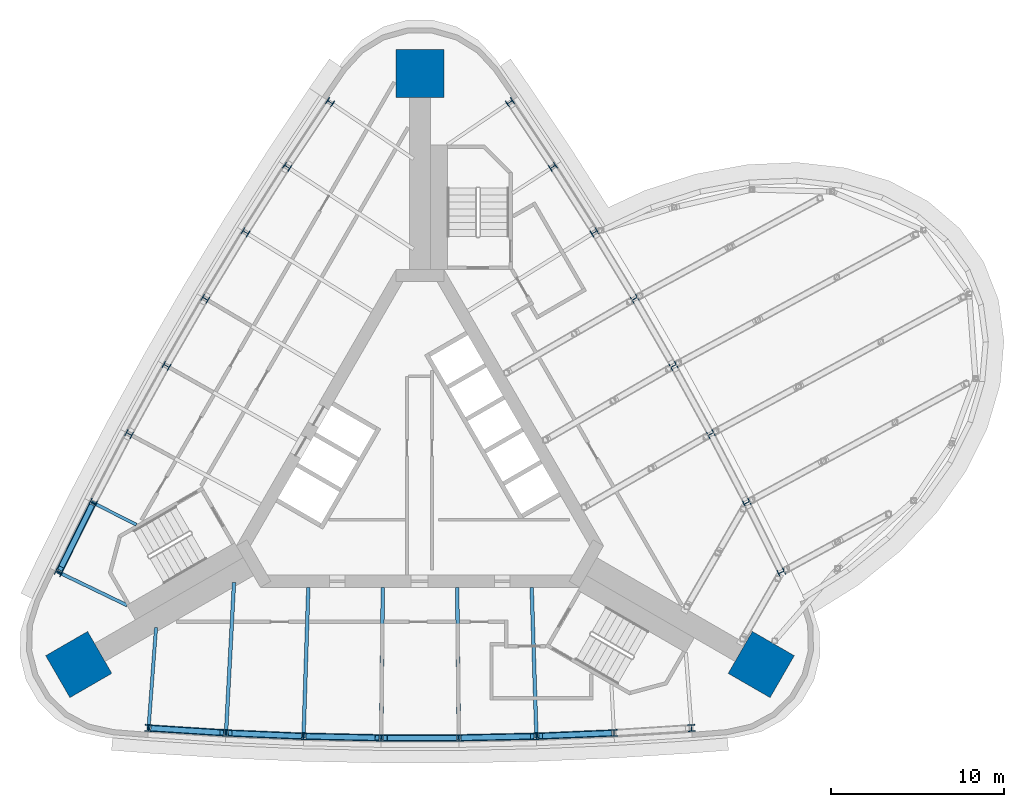
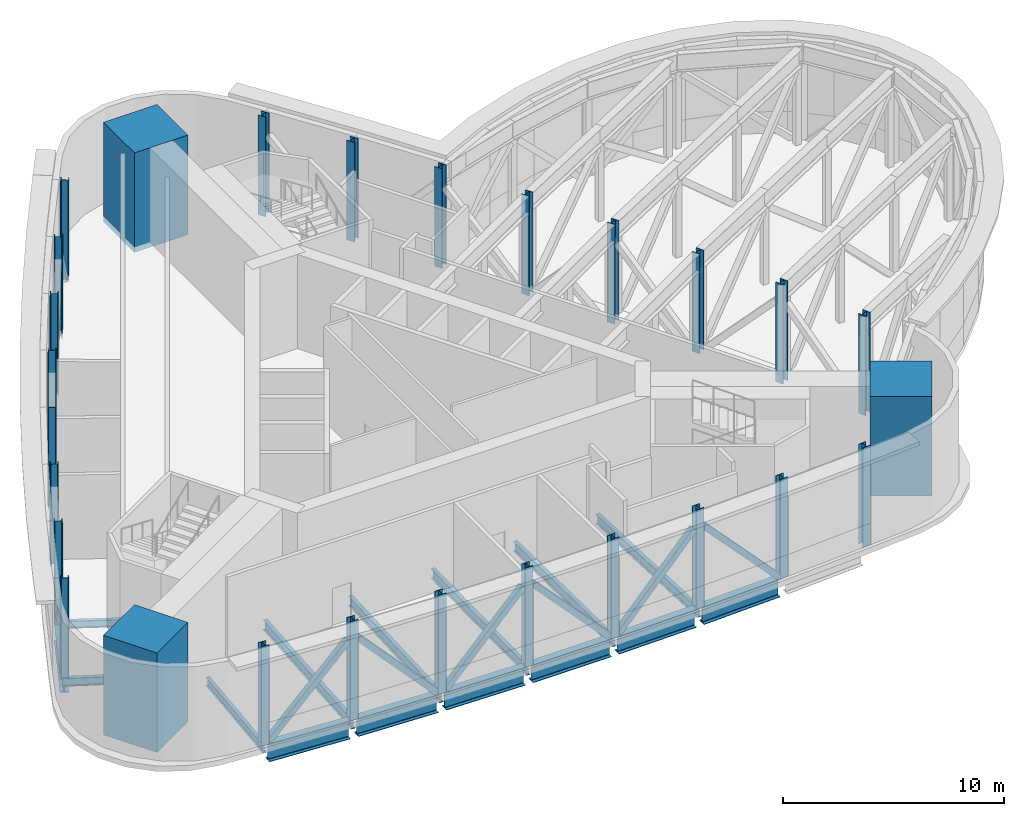
# One storey, part 1 of 11: 27 columns, 15 beams, 7 members.
"""IFC4 building model written with IfcOpenShell, lengths in metres."""

import ifcopenshell
import ifcopenshell.guid

model = None  # the IFC model being written
_history = None  # IfcOwnerHistory: only IFC2X3 demands one
_inside = {}  # id of a spatial element -> (the spatial element, [elements in it])
_under = {}  # id of a project, library or spatial element -> (it, [spatial elements below it])
_declared = {}  # id of a project -> (the project, [libraries it declares])
_typed = {}  # id of a type object -> (the type object, [elements of that type])
_made_of = {}  # id of a material, layer set ... -> (it, [elements and type objects made of it])


def new_model(schema):
    """Start an empty IFC model of exactly this schema.

    Asked for "IFC4X3", IfcOpenShell would pick the latest addendum, in which some entities
    have other attributes; the version numbers below select the first issue.
    IFC2X3 requires an IfcOwnerHistory on every rooted entity: one is made here for all.
    """
    global model, _history
    if schema == "IFC4X3":
        model = ifcopenshell.file(schema_version=(4, 3, 0, 0))
    else:
        model = ifcopenshell.file(schema=schema)
    _inside.clear()
    _under.clear()
    _declared.clear()
    _typed.clear()
    _made_of.clear()
    _history = None
    if model.schema == "IFC2X3":
        org = make("IfcOrganization", Name="unknown")
        user = make(
            "IfcPersonAndOrganization",
            ThePerson=make("IfcPerson", FamilyName="unknown"),
            TheOrganization=org,
        )
        app = make(
            "IfcApplication",
            ApplicationDeveloper=org,
            Version="unknown",
            ApplicationFullName="unknown",
            ApplicationIdentifier="unknown",
        )
        _history = make(
            "IfcOwnerHistory",
            OwningUser=user,
            OwningApplication=app,
            ChangeAction="ADDED",
            CreationDate=0,
        )
    return model


def make(cls, **values):
    """One entity of the class cls with the attributes given. An attribute that is None is left unset."""
    return model.create_entity(
        cls, **{name: value for name, value in values.items() if value is not None}
    )


def rooted(cls, **values):
    """An entity with a GlobalId (a new one), such as an element, a storey or a relation."""
    return make(cls, GlobalId=ifcopenshell.guid.new(), OwnerHistory=_history, **values)


def si_unit(unit_type, name, prefix=None):
    """IfcSIUnit, for example si_unit("LENGTHUNIT", "METRE", prefix="MILLI")."""
    return make("IfcSIUnit", UnitType=unit_type, Prefix=prefix, Name=name)


def assignment(units):
    """IfcUnitAssignment: the units of a project."""
    return None if units is None else make("IfcUnitAssignment", Units=units)


def point(xyz):
    """IfcCartesianPoint."""
    return None if xyz is None else make("IfcCartesianPoint", Coordinates=xyz)


def direction(xyz):
    """IfcDirection."""
    return None if xyz is None else make("IfcDirection", DirectionRatios=xyz)


def frame(location, z_axis=None, x_axis=None):
    """IfcAxis2Placement3D, a coordinate frame: its origin and axes. An axis left out is left unset."""
    return make(
        "IfcAxis2Placement3D",
        Location=point(location),
        Axis=direction(z_axis),
        RefDirection=direction(x_axis),
    )


def frame_2d(location, x_axis=None):
    """IfcAxis2Placement2D, a coordinate frame in the plane: its origin and x axis."""
    return make(
        "IfcAxis2Placement2D", Location=point(location), RefDirection=direction(x_axis)
    )


def origin():
    """The frame at (0, 0, 0) with its axes left unset."""
    return frame((0.0, 0.0, 0.0))


def origin_2d():
    """The frame at (0, 0) in the plane with its x axis left unset."""
    return frame_2d((0.0, 0.0))


def place(relative_to, where):
    """IfcLocalPlacement: puts the frame where relative to a parent placement (None: the world)."""
    return make(
        "IfcLocalPlacement", PlacementRelTo=relative_to, RelativePlacement=where
    )


def context(
    kind, dimensions, precision=None, world=None, true_north=None, identifier=None
):
    """IfcGeometricRepresentationContext, for example the 3D "Model" context."""
    return make(
        "IfcGeometricRepresentationContext",
        ContextIdentifier=identifier,
        ContextType=kind,
        CoordinateSpaceDimension=dimensions,
        Precision=precision,
        WorldCoordinateSystem=world,
        TrueNorth=true_north,
    )


def subcontext(parent, identifier, kind, view, scale=None):
    """IfcGeometricRepresentationSubContext, for example "Body" below "Model"."""
    return make(
        "IfcGeometricRepresentationSubContext",
        ContextIdentifier=identifier,
        ContextType=kind,
        ParentContext=parent,
        TargetScale=scale,
        TargetView=view,
    )


def project(units=None, contexts=None):
    """IfcProject with its units and contexts."""
    return rooted(
        "IfcProject",
        Name="project",
        RepresentationContexts=contexts,
        UnitsInContext=assignment(units),
    )


def spatial(cls, under=None, at=None, **own):
    """A site, building, storey or space (cls), placed at a placement, below another one or the project."""
    s = rooted(cls, ObjectPlacement=at, **own)
    if under is not None:
        _under.setdefault(under.id(), (under, []))[1].append(s)
    return s


def profile(cls, at=None, kind="AREA", **sizes):
    """A parametric profile (cls). Its sizes go by their IFC names, for example OverallWidth=200.0."""
    return make(cls, ProfileType=kind, Position=at, **sizes)


def rectangle(**sizes):
    """IfcRectangleProfileDef."""
    return profile("IfcRectangleProfileDef", **sizes)


def hollow_rectangle(**sizes):
    """IfcRectangleHollowProfileDef."""
    return profile("IfcRectangleHollowProfileDef", **sizes)


def i_section(**sizes):
    """IfcIShapeProfileDef."""
    return profile("IfcIShapeProfileDef", **sizes)


def extrude(swept, where, along, depth):
    """IfcExtrudedAreaSolid: the profile swept, set in the frame where, extruded along a direction by depth."""
    return make(
        "IfcExtrudedAreaSolid",
        SweptArea=swept,
        Position=where,
        ExtrudedDirection=direction(along),
        Depth=depth,
    )


def shape(context_of_items, identifier, shape_type, items):
    """IfcShapeRepresentation: the items that make up one representation, for example the "Body"."""
    return make(
        "IfcShapeRepresentation",
        ContextOfItems=context_of_items,
        RepresentationIdentifier=identifier,
        RepresentationType=shape_type,
        Items=items,
    )


def material(Name=None, Category=None):
    """IfcMaterial."""
    return make("IfcMaterial", Name=Name, Category=Category)


def material_profile(
    of_material, cross_section, Name=None, Category=None, Priority=None
):
    """IfcMaterialProfile: a cross section and its material."""
    return make(
        "IfcMaterialProfile",
        Name=Name,
        Material=of_material,
        Profile=cross_section,
        Priority=Priority,
        Category=Category,
    )


def profile_set(profiles, Name=None, composite=None):
    """IfcMaterialProfileSet."""
    return make(
        "IfcMaterialProfileSet",
        Name=Name,
        MaterialProfiles=profiles,
        CompositeProfile=composite,
    )


def made_of(thing, what):
    """Note that an element or type object is made of a material, layer set ...; save() writes the relation."""
    if what is not None:
        _made_of.setdefault(what.id(), (what, []))[1].append(thing)
    return thing


def type_object(cls, material=None, **own):
    """A type object (cls), such as IfcWallType, which elements share."""
    return made_of(rooted(cls, **own), material)


def element(
    cls,
    number,
    at=None,
    inside=None,
    cuts=None,
    type_object=None,
    material=None,
    context=None,
    identifier="Body",
    shape_type=None,
    held_by="IfcProductDefinitionShape",
    body=None,
    shapes=None,
    **own,
):
    """One element of the class cls, such as IfcWall. Its Tag is "e" and its number.

    at: its placement. inside: the storey or other place that contains it. cuts: it is an
    opening in that element (IfcRelVoidsElement). A single representation is given by context,
    identifier, shape_type and body (its items); several are given by shapes. held_by: the class
    of the entity that holds the representations. save() writes the other relations.
    """
    e = rooted(cls, Tag="e%d" % number, ObjectPlacement=at, **own)
    if body is not None:
        shapes = [shape(context, identifier, shape_type, body)]
    if shapes is not None:
        e.Representation = make(held_by, Representations=shapes)
    if inside is not None:
        _inside.setdefault(inside.id(), (inside, []))[1].append(e)
    if cuts is not None:
        rooted(
            "IfcRelVoidsElement", RelatingBuildingElement=cuts, RelatedOpeningElement=e
        )
    if type_object is not None:
        _typed.setdefault(type_object.id(), (type_object, []))[1].append(e)
    return made_of(e, material)


def aggregate(whole, parts):
    """IfcRelAggregates: a whole, such as a stair, and the parts it consists of."""
    return rooted("IfcRelAggregates", RelatingObject=whole, RelatedObjects=parts)


def save(model, path):
    """Write the relations noted so far, then the file.

    IfcRelAggregates (storeys below a building ...), IfcRelContainedInSpatialStructure (elements
    in a storey), IfcRelDefinesByType, IfcRelAssociatesMaterial and IfcRelDeclares: one each for
    every whole, place, type object, material and project.
    """
    for whole, parts in _under.values():
        aggregate(whole, parts)
    for where, things in _inside.values():
        rooted(
            "IfcRelContainedInSpatialStructure",
            RelatedElements=things,
            RelatingStructure=where,
        )
    for kind, things in _typed.values():
        rooted("IfcRelDefinesByType", RelatedObjects=things, RelatingType=kind)
    for what, things in _made_of.values():
        rooted("IfcRelAssociatesMaterial", RelatedObjects=things, RelatingMaterial=what)
    for by, libraries in _declared.values():
        rooted("IfcRelDeclares", RelatingContext=by, RelatedDefinitions=libraries)
    model.write(path)


model = new_model("IFC4")

# Units and contexts
model_context = context("Model", 3, precision=1e-05, world=origin(), true_north=direction((0.0, 1.0)))
body_context = subcontext(model_context, "Body", "Model", "MODEL_VIEW")
ifc_project = project(units=[si_unit("LENGTHUNIT", "METRE"), si_unit("AREAUNIT", "SQUARE_METRE"), si_unit("VOLUMEUNIT", "CUBIC_METRE"), si_unit("PLANEANGLEUNIT", "RADIAN"), si_unit("MASSUNIT", "GRAM", prefix="KILO")], contexts=[model_context])

# Site, building, storey
site_placement = place(None, origin())
site = spatial("IfcSite", under=ifc_project, at=site_placement, CompositionType="ELEMENT")
building_placement = place(site_placement, origin())
building = spatial("IfcBuilding", under=site, at=building_placement, Name="Noor Cloister Tower", CompositionType="ELEMENT")
storey_placement = place(building_placement, frame((0.0, 0.0, 168.89990234375)))
storey = spatial("IfcBuildingStorey", under=building, at=storey_placement, Name="L43", CompositionType="ELEMENT", Elevation=168.89990234375)

# Columns
ifc_material_1 = material(Name="Steel ASTM A992 Gr 50", Category="steel")
ifc_material_profile_1 = material_profile(ifc_material_1, i_section(OverallWidth=0.39892578125, OverallDepth=0.385986328125, WebThickness=0.02099609375, FlangeThickness=0.033203125, FilletRadius=0.01513671875, at=origin_2d()), Name="W360x262")
ifc_profile_set_1 = profile_set([ifc_material_profile_1], Name="Steel ASTM A992 Gr 50")
column_type_1 = type_object("IfcColumnType", Name="Column W360x262", PredefinedType="COLUMN", material=ifc_profile_set_1)
for number, where, z_axis, x_axis, name in (
    (1, (-5.19775390625, 21.123779296875, -0.2998046875), (0.0, 0.0, 1.0), (-0.562771100016, -0.826612780561, 0.0), "Column NW 01 L43"),
    (2, (-7.68408203125, 17.38720703125, -0.2998046875), (0.0, 0.0, 1.0), (-0.545137193542, -0.83834684959, 0.0), "Column NW 02 L43"),
    (3, (-10.0908203125, 13.5986328125, -0.2998046875), (0.0, 0.0, 1.0), (-0.527258715049, -0.849704800154, 0.0), "Column NW 03 L43"),
    (4, (-12.416748046875, 9.760009765625, -0.2998046875), (0.0, 0.0, 1.0), (-0.509143685622, -0.860681536569, 0.0), "Column NW 04 L43"),
    (5, (-14.660888671875, 5.873291015625, -0.2998046875), (0.0, 0.0, 1.0), (-0.490800232426, -0.87127213421, 0.0), "Column NW 05 L43"),
    (6, (-16.822265625, 1.939453125, -0.2998046875), (0.0, 0.0, 1.0), (-0.472236585126, -0.881471841676, 0.0), "Column NW 06 L43"),
    (7, (-18.899658203125, -2.0390625, -0.2998046875), (0.0, 0.0, 1.0), (-0.453461072156, -0.89127608295, 0.0), "Column NW 07 L43"),
    (8, (-20.892578125, -6.060546875, -0.2998046875), (0.0, 0.0, 1.0), (-0.434482117051, -0.90068045941, 0.0), "Column NW 08 L43"),
    (9, (-15.69482421875, -15.063232421875, -0.2998046875), (0.0, 0.0, 1.0), (0.997253217067, -0.074067678849, 0.0), "Column S 01 L43"),
    (10, (-11.215576171875, -15.34814453125, -0.2998046875), (0.0, 0.0, 1.0), (0.998598265698, -0.05292923336, 0.0), "Column S 02 L43"),
    (11, (-6.7314453125, -15.538330078125, -0.2998046875), (0.0, 0.0, 1.0), (0.999495300175, -0.031767041523, 0.0), "Column S 03 L43"),
    (12, (-2.244140625, -15.63330078125, -0.2998046875), (0.0, 0.0, 1.0), (0.999943918048, -0.01059059764, 0.0), "Column S 04 L43"),
    (13, (2.244140625, -15.63330078125, -0.2998046875), (0.0, 0.0, 1.0), (0.999943918048, 0.01059059764, 0.0), "Column S 05 L43"),
    (14, (6.7314453125, -15.538330078125, -0.2998046875), (0.0, 0.0, 1.0), (0.999495300175, 0.031767041523, 0.0), "Column S 06 L43"),
    (15, (11.215576171875, -15.34814453125, -0.2998046875), (0.0, 0.0, 1.0), (0.998598265698, 0.05292923336, 0.0), "Column S 07 L43"),
    (16, (15.69482421875, -15.063232421875, -0.2998046875), (0.0, 0.0, 1.0), (0.997253217067, 0.074067678849, 0.0), "Column S 08 L43"),
    (17, (20.892578125, -6.060546875, -0.2998046875), (0.0, 0.0, 1.0), (-0.434482117051, 0.90068045941, 0.0), "Column NE 01 L43"),
    (18, (18.899658203125, -2.0390625, -0.2998046875), (0.0, 0.0, 1.0), (-0.453461072156, 0.89127608295, 0.0), "Column NE 02 L43"),
    (19, (16.822265625, 1.939453125, -0.2998046875), (0.0, 0.0, 1.0), (-0.472236585126, 0.881471841676, 0.0), "Column NE 03 L43"),
    (20, (14.660888671875, 5.873291015625, -0.2998046875), (0.0, 0.0, 1.0), (-0.490800232426, 0.87127213421, 0.0), "Column NE 04 L43"),
    (21, (12.416748046875, 9.760009765625, -0.2998046875), (0.0, 0.0, 1.0), (-0.509143685622, 0.860681536569, 0.0), "Column NE 05 L43"),
    (22, (10.0908203125, 13.5986328125, -0.2998046875), (0.0, 0.0, 1.0), (-0.527258715049, 0.849704800154, 0.0), "Column NE 06 L43"),
    (23, (7.68408203125, 17.38720703125, -0.2998046875), (0.0, 0.0, 1.0), (-0.545137193542, 0.83834684959, 0.0), "Column NE 07 L43"),
    (24, (5.19775390625, 21.123779296875, -0.2998046875), (0.0, 0.0, 1.0), (-0.562771100016, 0.826612780561, 0.0), "Column NE 08 L43"),
):
    element("IfcColumn", number, at=place(storey_placement, frame(where, z_axis=z_axis, x_axis=x_axis)), inside=storey, type_object=column_type_1, Name=name, PredefinedType="COLUMN", context=body_context, shape_type="SweptSolid", body=[
        extrude(i_section(OverallWidth=0.39892578125, OverallDepth=0.385986328125, WebThickness=0.02099609375, FlangeThickness=0.033203125, FilletRadius=0.01513671875, at=origin_2d()), origin(), (0.0, 0.0, 1.0), 5.5),
    ])
ifc_material_2 = material(Name="Concrete C70/85", Category="concrete")
ifc_material_profile_2 = material_profile(ifc_material_2, rectangle(XDim=2.800048828125, YDim=2.800048828125, at=origin_2d()), Name="RC 2800x2800")
ifc_profile_set_2 = profile_set([ifc_material_profile_2], Name="Concrete C70/85")
column_type_2 = type_object("IfcColumnType", Name="Corner pier 2800 x 2800 C70/85", PredefinedType="COLUMN", material=ifc_profile_set_2)
for number, where, z_axis, x_axis, name in (
    (25, (0.0, 22.783935546875, -0.2998046875), (0.0, 0.0, 1.0), (0.0, 1.0, 0.0), "Corner pier N L43"),
    (26, (-19.7314453125, -11.39208984375, -0.2998046875), (0.0, 0.0, 1.0), (-0.866025403784, -0.5, 0.0), "Corner pier SW L43"),
    (27, (19.7314453125, -11.39208984375, -0.2998046875), (0.0, 0.0, 1.0), (0.866025403784, -0.5, 0.0), "Corner pier SE L43"),
):
    element("IfcColumn", number, at=place(storey_placement, frame(where, z_axis=z_axis, x_axis=x_axis)), inside=storey, type_object=column_type_2, Name=name, PredefinedType="COLUMN", context=body_context, shape_type="SweptSolid", body=[
        extrude(rectangle(XDim=2.800048828125, YDim=2.800048828125, at=origin_2d()), origin(), (0.0, 0.0, 1.0), 5.5),
    ])

# Beams
ifc_material_3 = material(Name="Steel ASTM A992 Gr 50", Category="steel")
ifc_material_profile_3 = material_profile(ifc_material_3, i_section(OverallWidth=0.40087890625, OverallDepth=0.98291015625, WebThickness=0.0166015625, FlangeThickness=0.027099609375, FilletRadius=0.030029296875, at=origin_2d()), Name="W1000x296")
ifc_profile_set_3 = profile_set([ifc_material_profile_3], Name="Steel ASTM A992 Gr 50")
beam_type_1 = type_object("IfcBeamType", Name="Belt chord girder W1000x296", PredefinedType="BEAM", material=ifc_profile_set_3)
for number, where, z_axis, x_axis, name in (
    (28, (-18.98828125, -2.2177734375, -0.79150390625), (-0.444010656384, -0.896021504774, 0.0), (0.896021504774, -0.444010656384, 0.0), "Spandrel beam NW 07 L43"),
    (29, (-15.495849609375, -15.075927734375, -0.79150390625), (0.997984155367, -0.063463577241, 0.0), (0.063463577241, 0.997984155367, 0.0), "Spandrel beam S 01 L43"),
    (30, (-11.016357421875, -15.356689453125, -0.79150390625), (0.999103754714, -0.042328327582, 0.0), (0.042328327582, 0.999103754714, 0.0), "Spandrel beam S 02 L43"),
    (31, (-6.531982421875, -15.54248046875, -0.79150390625), (0.99977537495, -0.021194330473, 0.0), (0.021194330473, 0.99977537495, 0.0), "Spandrel beam S 03 L43"),
    (32, (-2.044677734375, -15.63330078125, -0.79150390625), (1.0, 0.0, 0.0), (0.0, 1.0, 0.0), "Spandrel beam S 04 L43"),
    (33, (2.443603515625, -15.629150390625, -0.79150390625), (0.99977537495, 0.021194330473, 0.0), (-0.021194330473, 0.99977537495, 0.0), "Spandrel beam S 05 L43"),
    (34, (6.9306640625, -15.52978515625, -0.79150390625), (0.999103754714, 0.042328327582, 0.0), (-0.042328327582, 0.999103754714, 0.0), "Spandrel beam S 06 L43"),
):
    element("IfcBeam", number, at=place(storey_placement, frame(where, z_axis=z_axis, x_axis=x_axis)), inside=storey, type_object=beam_type_1, Name=name, PredefinedType="BEAM", context=body_context, shape_type="SweptSolid", body=[
        extrude(i_section(OverallWidth=0.40087890625, OverallDepth=0.98291015625, WebThickness=0.0166015625, FlangeThickness=0.027099609375, FilletRadius=0.030029296875, at=origin_2d()), origin(), (0.0, 0.0, 1.0), 4.08935546875),
    ])

# Members
ifc_material_4 = material(Name="Steel ASTM A500 Gr C", Category="steel")
ifc_material_profile_4 = material_profile(ifc_material_4, hollow_rectangle(XDim=0.304931640625, YDim=0.304931640625, WallThickness=0.0126953125, at=origin_2d()), Name="HSS304.8x304.8x12.7")
ifc_profile_set_4 = profile_set([ifc_material_profile_4], Name="Steel ASTM A500 Gr C")
member_type = type_object("IfcMemberType", Name="Belt truss diagonal HSS304.8x304.8x12.7", PredefinedType="BRACE", material=ifc_profile_set_4)
for number, where, z_axis, x_axis, name in (
    (35, (-19.0068359375, -2.255126953125, -0.196044921875), (-0.302290529451, -0.610058389017, 0.732426923177), (0.896030380732, -0.443992744091, 0.0), "Belt truss diagonal NW 07 L43"),
    (36, (-15.4541015625, -15.078369140625, -0.196044921875), (0.67947567833, -0.043237475226, 0.732422912868), (0.063505144101, 0.997981511188, 0.0), "Belt truss diagonal S 01 L43"),
    (37, (-6.972412109375, -15.528076171875, -0.196044921875), (-0.680230146133, 0.028839135702, 0.732431056512), (-0.042358093867, -0.999102493183, 0.0), "Belt truss diagonal S 02 L43"),
    (38, (-6.490234375, -15.54345703125, -0.196044921875), (0.680687676438, -0.014398843192, 0.732432222434), (0.021148646111, 0.999776342372, 0.0), "Belt truss diagonal S 03 L43"),
    (39, (2.0029296875, -15.63330078125, -0.196044921875), (-0.680847303984, 0.0, 0.732425387775), (0.0, -1.0, 0.0), "Belt truss diagonal S 04 L43"),
    (40, (2.4853515625, -15.628173828125, -0.196044921875), (0.680687676438, 0.014398843192, 0.732432222434), (-0.021148646111, 0.999776342372, 0.0), "Belt truss diagonal S 05 L43"),
    (41, (10.974609375, -15.3583984375, -0.196044921875), (-0.680230146133, -0.028839135702, 0.732431056512), (0.042358093867, -0.999102493183, 0.0), "Belt truss diagonal S 06 L43"),
):
    element("IfcMember", number, at=place(storey_placement, frame(where, z_axis=z_axis, x_axis=x_axis)), inside=storey, type_object=member_type, Name=name, PredefinedType="BRACE", context=body_context, shape_type="SweptSolid", body=[
        extrude(hollow_rectangle(XDim=0.304931640625, YDim=0.304931640625, WallThickness=0.0126953125, at=origin_2d()), origin(), (0.0, 0.0, 1.0), 5.883544921875),
    ])

# Beams
ifc_material_5 = material(Name="Steel ASTM A992 Gr 50", Category="steel")
ifc_material_profile_5 = material_profile(ifc_material_5, i_section(OverallWidth=0.177978515625, OverallDepth=0.406005859375, WebThickness=0.0078125, FlangeThickness=0.0126953125, FilletRadius=0.01025390625, at=origin_2d()), Name="W410x60")
ifc_profile_set_5 = profile_set([ifc_material_profile_5], Name="Steel ASTM A992 Gr 50")
beam_type_2 = type_object("IfcBeamType", Name="Radial beam W410x60", PredefinedType="BEAM", material=ifc_profile_set_5)
beam_1_placement = place(storey_placement, frame((-18.9951171875, -1.990478515625, -0.5029296875), z_axis=(0.891265530731, -0.453481811906, 0.0), x_axis=(0.453481811906, 0.891265530731, 0.0)))
element("IfcBeam", 42, at=beam_1_placement, inside=storey, type_object=beam_type_2, Name="Radial beam NW 07 L43", PredefinedType="BEAM", context=body_context, shape_type="SweptSolid", body=[
    extrude(i_section(OverallWidth=0.177978515625, OverallDepth=0.406005859375, WebThickness=0.0078125, FlangeThickness=0.0126953125, FilletRadius=0.01025390625, at=origin_2d()), origin(), (0.0, 0.0, 1.0), 2.908203125),
])
ifc_material_6 = material(Name="Steel ASTM A992 Gr 50", Category="steel")
ifc_material_profile_6 = material_profile(ifc_material_6, i_section(OverallWidth=0.19091796875, OverallDepth=0.45703125, WebThickness=0.009033203125, FlangeThickness=0.014404296875, FilletRadius=0.01025390625, at=origin_2d()), Name="W460x74")
ifc_profile_set_6 = profile_set([ifc_material_profile_6], Name="Steel ASTM A992 Gr 50")
beam_type_3 = type_object("IfcBeamType", Name="Radial beam W460x74", PredefinedType="BEAM", material=ifc_profile_set_6)
beam_2_placement = place(storey_placement, frame((-20.98876953125, -6.01416015625, -0.5283203125), z_axis=(0.900686635502, -0.434469313794, 0.0), x_axis=(0.434469313794, 0.900686635502, 0.0)))
element("IfcBeam", 43, at=beam_2_placement, inside=storey, type_object=beam_type_3, Name="Radial beam NW 08 L43", PredefinedType="BEAM", context=body_context, shape_type="SweptSolid", body=[
    extrude(i_section(OverallWidth=0.19091796875, OverallDepth=0.45703125, WebThickness=0.009033203125, FlangeThickness=0.014404296875, FilletRadius=0.01025390625, at=origin_2d()), origin(), (0.0, 0.0, 1.0), 4.490966796875),
])
beam_3_placement = place(storey_placement, frame((-15.702880859375, -15.169921875, -0.5283203125), z_axis=(0.074088129359, 0.997251697962, 0.0), x_axis=(-0.997251697962, 0.074088129359, 0.0)))
element("IfcBeam", 44, at=beam_3_placement, inside=storey, type_object=beam_type_3, Name="Radial beam S 01 L43", PredefinedType="BEAM", context=body_context, shape_type="SweptSolid", body=[
    extrude(i_section(OverallWidth=0.19091796875, OverallDepth=0.45703125, WebThickness=0.009033203125, FlangeThickness=0.014404296875, FilletRadius=0.01025390625, at=origin_2d()), origin(), (0.0, 0.0, 1.0), 5.94140625),
])
ifc_material_7 = material(Name="Steel ASTM A992 Gr 50", Category="steel")
ifc_material_profile_7 = material_profile(ifc_material_7, i_section(OverallWidth=0.208984375, OverallDepth=0.532958984375, WebThickness=0.01025390625, FlangeThickness=0.015625, FilletRadius=0.0126953125, at=origin_2d()), Name="W530x92")
ifc_profile_set_7 = profile_set([ifc_material_profile_7], Name="Steel ASTM A992 Gr 50")
beam_type_4 = type_object("IfcBeamType", Name="Radial beam W530x92", PredefinedType="BEAM", material=ifc_profile_set_7)
beam_4_placement = place(storey_placement, frame((-11.22119140625, -15.455078125, -0.56640625), z_axis=(0.052918904388, 0.998598813117, 0.0), x_axis=(-0.998598813117, 0.052918904388, 0.0)))
element("IfcBeam", 45, at=beam_4_placement, inside=storey, type_object=beam_type_4, Name="Radial beam S 02 L43", PredefinedType="BEAM", context=body_context, shape_type="SweptSolid", body=[
    extrude(i_section(OverallWidth=0.208984375, OverallDepth=0.532958984375, WebThickness=0.01025390625, FlangeThickness=0.015625, FilletRadius=0.0126953125, at=origin_2d()), origin(), (0.0, 0.0, 1.0), 8.82568359375),
])
beam_5_placement = place(storey_placement, frame((-6.73486328125, -15.645263671875, -0.56640625), z_axis=(0.031772216189, 0.999495135695, 0.0), x_axis=(-0.999495135695, 0.031772216189, 0.0)))
element("IfcBeam", 46, at=beam_5_placement, inside=storey, type_object=beam_type_4, Name="Radial beam S 03 L43", PredefinedType="BEAM", context=body_context, shape_type="SweptSolid", body=[
    extrude(i_section(OverallWidth=0.208984375, OverallDepth=0.532958984375, WebThickness=0.01025390625, FlangeThickness=0.015625, FilletRadius=0.0126953125, at=origin_2d()), origin(), (0.0, 0.0, 1.0), 8.721435546875),
])
for number, where, z_axis, x_axis, name in (
    (47, (-2.245361328125, -15.740234375, -0.56640625), (0.01061058457, 0.999943706163, 0.0), (-0.999943706163, 0.01061058457, 0.0), "Radial beam S 04 L43"),
    (48, (2.245361328125, -15.740234375, -0.56640625), (-0.01061058457, 0.999943706163, 0.0), (-0.999943706163, -0.01061058457, 0.0), "Radial beam S 05 L43"),
):
    element("IfcBeam", number, at=place(storey_placement, frame(where, z_axis=z_axis, x_axis=x_axis)), inside=storey, type_object=beam_type_4, Name=name, PredefinedType="BEAM", context=body_context, shape_type="SweptSolid", body=[
        extrude(i_section(OverallWidth=0.208984375, OverallDepth=0.532958984375, WebThickness=0.01025390625, FlangeThickness=0.015625, FilletRadius=0.0126953125, at=origin_2d()), origin(), (0.0, 0.0, 1.0), 8.8125),
    ])
beam_6_placement = place(storey_placement, frame((6.73486328125, -15.645263671875, -0.56640625), z_axis=(-0.031772216189, 0.999495135695, 0.0), x_axis=(-0.999495135695, -0.031772216189, 0.0)))
element("IfcBeam", 49, at=beam_6_placement, inside=storey, type_object=beam_type_4, Name="Radial beam S 06 L43", PredefinedType="BEAM", context=body_context, shape_type="SweptSolid", body=[
    extrude(i_section(OverallWidth=0.208984375, OverallDepth=0.532958984375, WebThickness=0.01025390625, FlangeThickness=0.015625, FilletRadius=0.0126953125, at=origin_2d()), origin(), (0.0, 0.0, 1.0), 8.721435546875),
])

save(model, "model.ifc")
